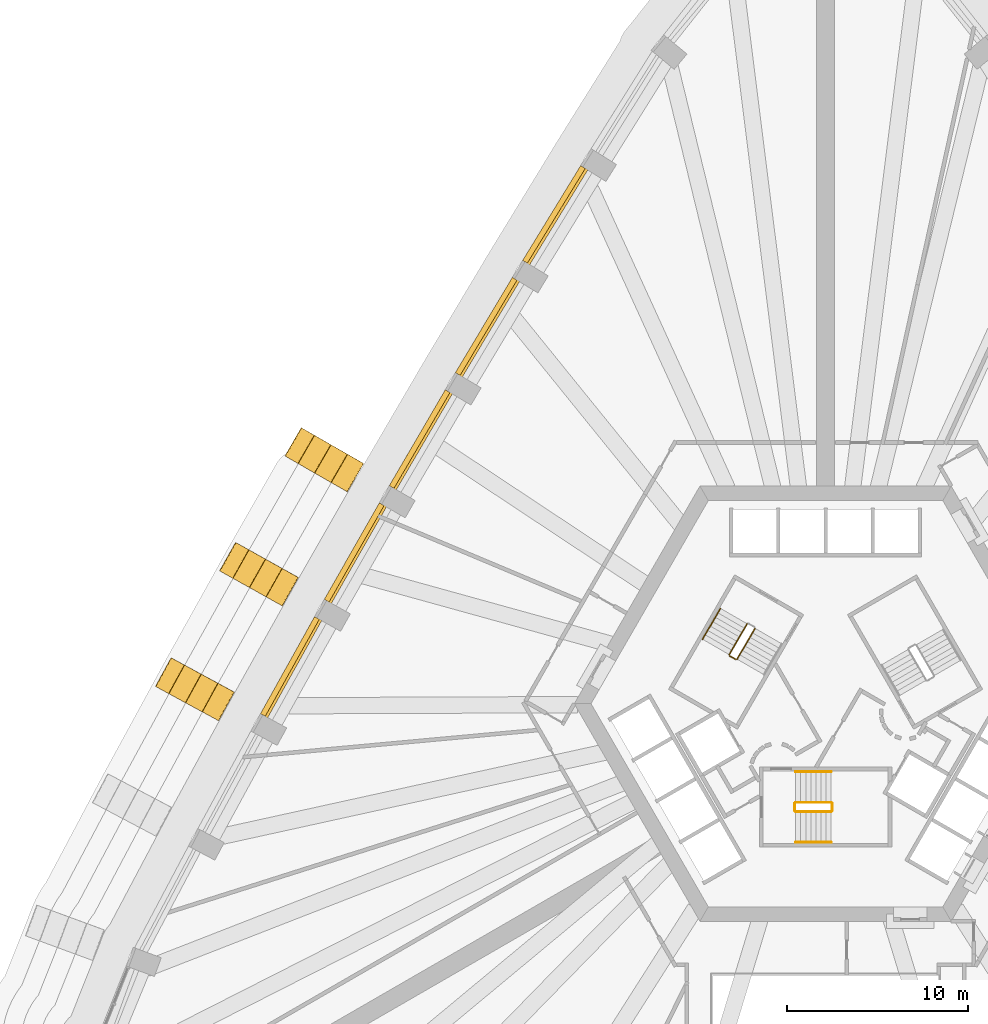
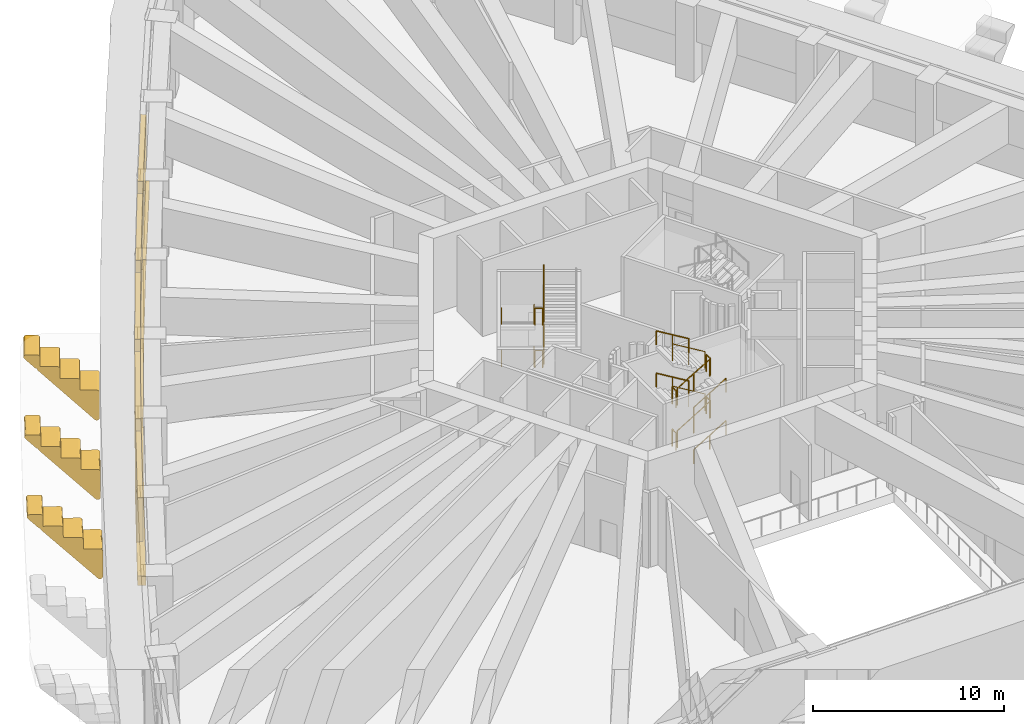
# One storey, part 18 of 22: 20 railings, 8 coverings, 5 shading devices.
"""IFC4 building model written with IfcOpenShell, lengths in metres."""

from ifc_helpers import new_model, si_unit, direction, frame, origin, origin_2d, place, context, subcontext, project, spatial, polyline, rectangle, circle, outline, extrude, material, layer, layer_set, type_object, element, save


model = new_model("IFC4")

# Units and contexts
model_context = context("Model", 3, precision=1e-05, world=origin(), true_north=direction((0.0, 1.0)))
body_context = subcontext(model_context, "Body", "Model", "MODEL_VIEW")
ifc_project = project(units=[si_unit("LENGTHUNIT", "METRE"), si_unit("AREAUNIT", "SQUARE_METRE"), si_unit("VOLUMEUNIT", "CUBIC_METRE"), si_unit("PLANEANGLEUNIT", "RADIAN"), si_unit("MASSUNIT", "GRAM", prefix="KILO")], contexts=[model_context])

# Site, building, storey
site_placement = place(None, origin())
site = spatial("IfcSite", under=ifc_project, at=site_placement, CompositionType="ELEMENT")
building_placement = place(site_placement, origin())
building = spatial("IfcBuilding", under=site, at=building_placement, Name="Entoto Arch Interchange Tower", CompositionType="ELEMENT")
storey_placement = place(building_placement, frame((0.0, 0.0, 132.800048828125)))
storey = spatial("IfcBuildingStorey", under=building, at=storey_placement, Name="L29", CompositionType="ELEMENT", Elevation=132.800048828125)

# Shading devices
ifc_material_1 = material(Name="Aluminium, anodised", Category="aluminium")
ifc_layer = layer(ifc_material_1, 0.300048828125)
ifc_layer_set = layer_set([ifc_layer], Name="Aluminium, anodised")
shading_device_type = type_object("IfcShadingDeviceType", Name="PLANT LOUVRE ALUMINIUM", PredefinedType="JALOUSIE", material=ifc_layer_set)
shading_device_placement = place(storey_placement, frame((-14.97705078125, 29.47998046875, 1.19970703125), z_axis=(0.0, 0.0, 1.0), x_axis=(-0.521977619024, -0.85295918146, 0.0)))
element("IfcShadingDevice", 1, at=shading_device_placement, inside=storey, type_object=shading_device_type, Name="Plant louvre NW-02 L29", PredefinedType="JALOUSIE", context=body_context, shape_type="SweptSolid", body=[
    extrude(rectangle(XDim=6.12109375, YDim=0.300048828125, at=origin_2d()), origin(), (0.0, 0.0, 1.0), 2.800048828125),
])
for number, where, z_axis, x_axis, name in (
    (2, (-18.712890625, 23.304931640625, 1.19970703125), (0.0, 0.0, 1.0), (-0.513151821694, -0.858297854997, 0.0), "Plant louvre NW-03 L29"),
    (3, (-22.385009765625, 17.091064453125, 1.19970703125), (0.0, 0.0, 1.0), (-0.504316641424, -0.863518804186, 0.0), "Plant louvre NW-04 L29"),
):
    element("IfcShadingDevice", number, at=place(storey_placement, frame(where, z_axis=z_axis, x_axis=x_axis)), inside=storey, type_object=shading_device_type, Name=name, PredefinedType="JALOUSIE", context=body_context, shape_type="SweptSolid", body=[
        extrude(rectangle(XDim=6.118896484375, YDim=0.300048828125, at=origin_2d()), origin(), (0.0, 0.0, 1.0), 2.800048828125),
    ])
for number, where, z_axis, x_axis, name in (
    (4, (-25.993896484375, 10.840087890625, 1.19970703125), (0.0, 0.0, 1.0), (-0.495564788094, -0.86857097626, 0.0), "Plant louvre NW-05 L29"),
    (5, (-29.5380859375, 4.552978515625, 1.19970703125), (0.0, 0.0, 1.0), (-0.486762327995, -0.873534450405, 0.0), "Plant louvre NW-06 L29"),
):
    element("IfcShadingDevice", number, at=place(storey_placement, frame(where, z_axis=z_axis, x_axis=x_axis)), inside=storey, type_object=shading_device_type, Name=name, PredefinedType="JALOUSIE", context=body_context, shape_type="SweptSolid", body=[
        extrude(rectangle(XDim=6.1201171875, YDim=0.300048828125, at=origin_2d()), origin(), (0.0, 0.0, 1.0), 2.800048828125),
    ])

# Coverings
ifc_material_2 = material(Name="Board-marked precast concrete C50/60", Category="concrete")
covering_type_1 = type_object("IfcCoveringType", Name="PRECAST FRAME COURSE", PredefinedType="CLADDING", material=ifc_material_2)
covering_1_placement = place(storey_placement, frame((-25.694091796875, 15.8740234375, -0.087158203125), z_axis=(0.500214209937, 0.865895996186, 0.003141331749), x_axis=(0.688236678341, -0.395376523832, -0.608282565087)))
element("IfcCovering", 6, at=covering_1_placement, inside=storey, type_object=covering_type_1, Name="Fold rib NW05 L29", PredefinedType="CLADDING", context=body_context, shape_type="SweptSolid", body=[
    extrude(outline(polyline([(0.0, 0.0), (0.0441460098532878, 3.469446951953614e-18), (0.08673061743248986, -0.012331929972447649), (0.1122116835064453, -0.028168703089815943), (0.14399265887246446, -0.058984118287878425), (0.16488681623100376, -0.09868410189381076), (0.1735805149737042, -0.14194758958338707), (0.16892152501719135, -0.18636238712174694), (0.15082052611063096, -0.2278593878722074), (-0.8513980245200852, -1.5360310164233464), (-0.8709686449902418, -1.5576367452600361), (-0.8943926007723959, -1.5750573239945889), (-0.935919127842761, -1.590907458010622), (-0.9650822753700613, -1.5950117225175906), (-0.9940638313517083, -1.5931024703156906), (-1.0233093152445525, -1.5857610351498201), (-1.049236750204112, -1.5723523786324438), (-1.7517412606716827, -1.0352020738303551), (-2.126787200316661, -1.5226015895833283), (-2.148997852467886, -1.5418755820955015), (-2.174112240875864, -1.556767954600116), (-2.2020043740594457, -1.5655386133241738), (-2.2311675215867464, -1.5696428778311422), (-2.2748162563047187, -1.5654106540088941), (-2.3023057635449056, -1.5541870296211795), (-2.327045146619529, -1.539228149784076), (-3.041117943008164, -0.9919811720049687), (-3.4161638826531417, -1.4793806877579418), (-3.4382065082715694, -1.4987829682166072), (-3.4639930028107395, -1.5131621889352531), (-3.4914775838675656, -1.522242898617332), (-3.520472704862068, -1.5264754510707923), (-3.564697018239594, -1.5218048883440314), (-3.5916824458813865, -1.510966127795793), (-3.6173120184409586, -1.4953231325933904), (-4.3320569209607855, -0.9475630030283146), (-4.706044644588017, -1.4357749220930789), (-4.728351824210881, -1.4549741017237965), (-4.75336968514722, -1.469941287109867), (-4.781358345802441, -1.478637132952469), (-4.810521493329741, -1.4827413974594374), (-4.854170228047714, -1.4785091736371894), (-4.893932362971439, -1.4606486804252956), (-5.344303085999998, -1.1167286020824139), (-5.365567410335135, -1.0964322449303752), (-5.3828803963646426, -1.0733199857708113), (-5.394505364147532, -1.0465698688013494), (-5.401637796125057, -1.018344111816015), (-5.4029334800348305, -0.989669018386746), (-5.398610499230612, -0.9603736249342112), (-5.389215594455683, -0.9334337680354667), (-5.37433186083395, -0.9082362377449744), (-5.355077773382208, -0.8866959988767587), (-5.331582318538894, -0.8693288952072424), (-5.30480803427887, -0.8572441191611855), (-5.277096866547702, -0.8492578950099734), (-4.469346564541562, -0.7199259200188324), (-4.439919489103064, -0.7212538384758345), (-4.410505978677422, -0.7287235615881973), (-4.383461990894086, -0.74052851972081), (-4.362551540814221, -0.7565526694082183), (-4.335356183327887, -0.7232601596860122), (-4.311860728484573, -0.705893056016496), (-4.286144660242296, -0.6929958766586477), (-4.258047382624573, -0.6853089040332581), (0.0, 0.0)])), origin(), (0.0, 0.0, -1.0), 1.800048828125),
])
covering_2_placement = place(storey_placement, frame((-29.29296875, 9.5869140625, -0.083984375), z_axis=(0.489866211248, 0.871792639643, 0.00294763337), x_axis=(0.659903281561, -0.368590428059, -0.654728001026)))
element("IfcCovering", 7, at=covering_2_placement, inside=storey, type_object=covering_type_1, Name="Fold rib NW06 L29", PredefinedType="CLADDING", context=body_context, shape_type="SweptSolid", body=[
    extrude(outline(polyline([(0.0, 0.0), (0.029083937818478817, 1.734723475976807e-18), (0.07260890863104447, -0.011217297581871864), (0.11075581116290927, -0.033600094890550734), (0.14047494208769434, -0.06741834396557768), (0.1585857095597739, -0.10830046376930103), (0.16474512464975205, -0.15174761665645792), (0.1570696046767547, -0.19548535256140848), (0.13763082630354206, -0.23549659099627482), (-0.9395380215016219, -1.4801001180806967), (-0.961212873778313, -1.4997606157342174), (-0.9857071028145039, -1.5156882668510212), (-1.0277435965912989, -1.5293411786740105), (-1.0569408024488807, -1.5318280123138437), (-1.0857554170135542, -1.5281857741258176), (-1.114397013703019, -1.5192044053441347), (-1.139316221989195, -1.5044024380395846), (-1.80873693885051, -0.925836551349004), (-2.211867248173009, -1.3902786490095724), (-2.2352821770301006, -1.4081089378113933), (-2.261790236827792, -1.4209991776732398), (-2.2892479891625768, -1.4288711691515117), (-2.3196106926080597, -1.4303474559097866), (-2.362560443989505, -1.4238283921859316), (-2.389237955012812, -1.4110563191740098), (-2.4136839436699833, -1.3940826298294255), (-3.093613714323378, -0.805122426674518), (-3.4971939631332543, -1.2691706348353373), (-3.5201589525029693, -1.287394813136907), (-3.546757000198136, -1.3002062750988042), (-3.5744847162253466, -1.3078419328772264), (-3.603843031282529, -1.3101896794607075), (-3.6474372194623736, -1.3031142675114453), (-3.6734702936872807, -1.2908985427249304), (-3.6983662218318294, -1.2735309638805976), (-4.379494878184548, -0.6835368421748251), (-4.781426301807723, -1.1490128583862584), (-4.80475124276734, -1.1669219250880292), (-4.830989338872604, -1.180048498649725), (-4.858717054899816, -1.1876841564281473), (-4.888719806755397, -1.1894755547862215), (-4.932029509726744, -1.1826413794625672), (-4.971455177885613, -1.1617348689121636), (-5.399510298325936, -0.792243329074001), (-5.419639189495744, -0.7706107948213745), (-5.435693235801692, -0.7463669110123585), (-5.445691371536099, -0.7189707682458635), (-5.451123199239895, -0.6903649716132318), (-5.450538736116682, -0.6618013046216293), (-5.4440091034685825, -0.6332194581146529), (-5.433112628237776, -0.606806882184832), (-5.41674420311109, -0.5825478487796714), (-5.396233584926076, -0.5622004271457293), (-5.371810477192009, -0.546212466872523), (-5.345457209112796, -0.5348012544600058), (-5.316309107911936, -0.529364877222851), (-4.503086873049915, -0.44922018430874866), (-4.4731533385616125, -0.4515706715832839), (-4.444672851071748, -0.4604129533086154), (-4.41895315077247, -0.4746158642903797), (-4.39775570783198, -0.49168348113105775), (-4.37937850592869, -0.46916736737630993), (-4.356893053669102, -0.4514967966090937), (-4.317680990636704, -0.43281654664484304), (-4.288532889435844, -0.42738016940768864), (0.0, 0.0)])), origin(), (0.0, 0.0, -1.0), 1.800048828125),
])
covering_3_placement = place(storey_placement, frame((-32.827880859375, 3.262939453125, -0.075927734375), z_axis=(0.479629330836, 0.877466162659, 0.002972942939), x_axis=(0.685061750593, -0.372338258213, -0.626142650955)))
element("IfcCovering", 8, at=covering_3_placement, inside=storey, type_object=covering_type_1, Name="Fold rib NW07 L29", PredefinedType="CLADDING", context=body_context, shape_type="SweptSolid", body=[
    extrude(outline(polyline([(0.0, 0.0), (0.043281580715877, 0.0), (0.0862470441501252, -0.013836911976909005), (0.12265932005654898, -0.03931929824266911), (0.1428137443490409, -0.06208314712031349), (0.16212672136181197, -0.1017011251956579), (0.16967082198398806, -0.14502162361119217), (0.16362883751603546, -0.1890160376145982), (0.14524268298912157, -0.23061421478148308), (-0.8796131657721817, -1.5070689988633463), (-0.8995059447031479, -1.5283553102028853), (-0.9240593760412357, -1.5446477619225587), (-0.9655589844558492, -1.5598544191933104), (-0.9948091568466613, -1.563292622242555), (-1.0234635233974065, -1.5609482162002806), (-1.0521624904726576, -1.5532446391780514), (-1.0782828083318103, -1.5388448735683478), (-1.7688484292519484, -0.9855338830152476), (-2.15386182737016, -1.4650985968985892), (-2.177172236470764, -1.4833283086467213), (-2.201979566168425, -1.498162469427039), (-2.2303299008489432, -1.5060818744021938), (-2.2595800732397553, -1.5095200774514383), (-2.3034081785323783, -1.504069765052034), (-2.3305410262152932, -1.4922993889934681), (-2.3556965635083245, -1.4761690843408277), (-3.056529459483186, -0.913364072624854), (-3.4427427262014505, -1.3919641936456966), (-3.4652168782822876, -1.4108632316252925), (-3.4909513678947874, -1.4249542495163876), (-3.5183745426604665, -1.433616797380765), (-3.5482937206670924, -1.4365195394448387), (-3.5921218259597154, -1.4310692270454344), (-3.6183893078504843, -1.4199957133567818), (-3.6433775937395616, -1.4039992739504341), (-4.345831508078003, -0.8386375131863133), (-4.730787368012974, -1.3194991166242684), (-4.753065159917478, -1.338559555988606), (-4.779163261110265, -1.3523553072486667), (-4.806982732806542, -1.3607038441011494), (-4.836142002302283, -1.3642158638081523), (-4.8799701075949065, -1.358765551408748), (-4.920146516771672, -1.3393389832566172), (-5.361347799163109, -0.9862836064933322), (-5.3818597925286005, -0.9657394771244858), (-5.3988455497100585, -0.9420815105858744), (-5.409849751732349, -0.9150806413013988), (-5.416342849632148, -0.8866955129715648), (-5.417655837793639, -0.8574615865815436), (-5.411919842000955, -0.8288789159790042), (-5.402288974978944, -0.8018553868941387), (-5.385799441671805, -0.7778366983518463), (-5.366059529598983, -0.7567407441546679), (-5.342538715456995, -0.7396175648187882), (-5.316535942939112, -0.7273090602557026), (-5.2876115916369235, -0.7207914543238356), (-4.4788393945481175, -0.6109616509108151), (-4.449362815842656, -0.6130302521570428), (-4.420663848767404, -0.6207338291792723), (-4.394797429267825, -0.6336753038496199), (-4.371275847997109, -0.6513111408794547), (-4.3525307626287235, -0.626600322814483), (-4.331289674019392, -0.6076493105498146), (-4.305187486727533, -0.5929134045738786), (-4.263667790940582, -0.5811668644704708), (0.0, 0.0)])), origin(), (0.0, 0.0, -1.0), 1.800048828125),
])
covering_type_2 = type_object("IfcCoveringType", Name="PRECAST LEDGE COURSE", PredefinedType="CLADDING", material=ifc_material_2)
covering_4_placement = place(storey_placement, frame((0.0, 0.0, -1.199951171875)))
element("IfcCovering", 9, at=covering_4_placement, inside=storey, type_object=covering_type_2, Name="Precast course NW-02 L29", PredefinedType="CLADDING", context=body_context, shape_type="SweptSolid", body=[
    extrude(outline(polyline([(-16.60009765625, 26.243896484375), (-16.989013671875, 26.47998046875), (-13.219970703125, 32.638916015625), (-12.8291015625, 32.39404296875), (-16.60009765625, 26.243896484375)])), origin(), (0.0, 0.0, 1.0), 0.599853515625),
])
covering_5_placement = place(storey_placement, frame((0.0, 0.0, -1.199951171875)))
element("IfcCovering", 10, at=covering_5_placement, inside=storey, type_object=covering_type_2, Name="Precast course NW-03 L29", PredefinedType="CLADDING", context=body_context, shape_type="SweptSolid", body=[
    extrude(outline(polyline([(-20.305908203125, 20.053955078125), (-20.694091796875, 20.283935546875), (-16.989013671875, 26.47998046875), (-16.60009765625, 26.243896484375), (-20.305908203125, 20.053955078125)])), origin(), (0.0, 0.0, 1.0), 0.599853515625),
])
covering_6_placement = place(storey_placement, frame((0.0, 0.0, -1.199951171875)))
element("IfcCovering", 11, at=covering_6_placement, inside=storey, type_object=covering_type_2, Name="Precast course NW-04 L29", PredefinedType="CLADDING", context=body_context, shape_type="SweptSolid", body=[
    extrude(outline(polyline([(-23.945068359375, 13.824951171875), (-24.3349609375, 14.050048828125), (-20.694091796875, 20.283935546875), (-20.305908203125, 20.053955078125), (-23.945068359375, 13.824951171875)])), origin(), (0.0, 0.0, 1.0), 0.599853515625),
])
covering_7_placement = place(storey_placement, frame((0.0, 0.0, -1.199951171875)))
element("IfcCovering", 12, at=covering_7_placement, inside=storey, type_object=covering_type_2, Name="Precast course NW-05 L29", PredefinedType="CLADDING", context=body_context, shape_type="SweptSolid", body=[
    extrude(outline(polyline([(-27.52001953125, 7.55810546875), (-27.9130859375, 7.779052734375), (-24.3349609375, 14.050048828125), (-23.945068359375, 13.824951171875), (-27.52001953125, 7.55810546875)])), origin(), (0.0, 0.0, 1.0), 0.599853515625),
])
covering_8_placement = place(storey_placement, frame((0.0, 0.0, -1.199951171875)))
element("IfcCovering", 13, at=covering_8_placement, inside=storey, type_object=covering_type_2, Name="Precast course NW-06 L29", PredefinedType="CLADDING", context=body_context, shape_type="SweptSolid", body=[
    extrude(outline(polyline([(-31.028076171875, 1.25390625), (-31.427001953125, 1.471923828125), (-27.9130859375, 7.779052734375), (-27.52001953125, 7.55810546875), (-31.028076171875, 1.25390625)])), origin(), (0.0, 0.0, 1.0), 0.599853515625),
])

# Railings
ifc_material_3 = material(Name="Stainless steel 1.4301", Category="steel")
railing_type_1 = type_object("IfcRailingType", Name="STAIR GUARD 1100 STEEL", PredefinedType="GUARDRAIL", material=ifc_material_3)
railing_1_placement = place(storey_placement, frame((-1.64990234375, -3.449951171875, 0.168701171875)))
element("IfcRailing", 14, at=railing_1_placement, inside=storey, type_object=railing_type_1, Name="L29 ST-S stair guard 1", PredefinedType="GUARDRAIL", context=body_context, shape_type="SweptSolid", body=[
    extrude(circle(Radius=0.02392578125, at=origin_2d()), frame((0.0, 0.0, 1.076171875), z_axis=(0.856493463811, 0.0, 0.516157869696), x_axis=(0.0, 1.0, 0.0)), (0.0, 0.0, 1.0), 2.288330078125),
    extrude(circle(Radius=0.02099609375, at=origin_2d()), origin(), (0.0, 0.0, 1.0), 1.052001953125),
    extrude(circle(Radius=0.02099609375, at=origin_2d()), frame((0.97998046875, 0.0, 0.590576171875)), (0.0, 0.0, 1.0), 1.052001953125),
    extrude(circle(Radius=0.02099609375, at=origin_2d()), frame((1.9599609375, 0.0, 1.18115234375)), (0.0, 0.0, 1.0), 1.052001953125),
])
railing_2_placement = place(storey_placement, frame((0.360107421875, -3.39990234375, 1.349853515625)))
element("IfcRailing", 15, at=railing_2_placement, inside=storey, type_object=railing_type_1, Name="L29 ST-S stair guard 2", PredefinedType="GUARDRAIL", context=body_context, shape_type="SweptSolid", body=[
    extrude(circle(Radius=0.02392578125, at=origin_2d()), frame((0.0, 0.0, 1.076171875), z_axis=(0.0, 1.0, 0.0), x_axis=(-1.0, 0.0, 0.0)), (0.0, 0.0, 1.0), 0.39990234375),
    extrude(circle(Radius=0.02099609375, at=origin_2d()), origin(), (0.0, 0.0, 1.0), 1.052001953125),
    extrude(circle(Radius=0.02099609375, at=origin_2d()), frame((0.0, 0.39990234375, 0.0)), (0.0, 0.0, 1.0), 1.052001953125),
])
railing_3_placement = place(storey_placement, frame((0.31005859375, -2.949951171875, 1.518798828125)))
element("IfcRailing", 16, at=railing_3_placement, inside=storey, type_object=railing_type_1, Name="L29 ST-S stair guard 3", PredefinedType="GUARDRAIL", context=body_context, shape_type="SweptSolid", body=[
    extrude(circle(Radius=0.02392578125, at=origin_2d()), frame((0.0, 0.0, 1.076171875), z_axis=(-0.856493463811, 0.0, 0.516157869696), x_axis=(0.0, -1.0, 0.0)), (0.0, 0.0, 1.0), 2.288330078125),
    extrude(circle(Radius=0.02099609375, at=origin_2d()), origin(), (0.0, 0.0, 1.0), 1.052001953125),
    extrude(circle(Radius=0.02099609375, at=origin_2d()), frame((-0.97998046875, 0.0, 0.590576171875)), (0.0, 0.0, 1.0), 1.052001953125),
    extrude(circle(Radius=0.02099609375, at=origin_2d()), frame((-1.9599609375, 0.0, 1.18115234375)), (0.0, 0.0, 1.0), 1.052001953125),
])
railing_4_placement = place(storey_placement, frame((-1.699951171875, -3.39990234375, 2.699951171875)))
element("IfcRailing", 17, at=railing_4_placement, inside=storey, type_object=railing_type_1, Name="L29 ST-S stair guard 4", PredefinedType="GUARDRAIL", context=body_context, shape_type="SweptSolid", body=[
    extrude(circle(Radius=0.02392578125, at=origin_2d()), frame((0.0, 0.0, 1.076171875), z_axis=(0.0, 1.0, 0.0), x_axis=(-1.0, 0.0, 0.0)), (0.0, 0.0, 1.0), 0.39990234375),
    extrude(circle(Radius=0.02099609375, at=origin_2d()), origin(), (0.0, 0.0, 1.0), 1.052001953125),
    extrude(circle(Radius=0.02099609375, at=origin_2d()), frame((0.0, 0.39990234375, 0.0)), (0.0, 0.0, 1.0), 1.052001953125),
])
railing_5_placement = place(storey_placement, frame((-1.64990234375, -3.449951171875, 2.86865234375)))
element("IfcRailing", 18, at=railing_5_placement, inside=storey, type_object=railing_type_1, Name="L29 ST-S stair guard 5", PredefinedType="GUARDRAIL", context=body_context, shape_type="SweptSolid", body=[
    extrude(circle(Radius=0.02392578125, at=origin_2d()), frame((0.0, 0.0, 1.076171875), z_axis=(0.856446297458, 0.0, 0.516236127728), x_axis=(0.0, 1.0, 0.0)), (0.0, 0.0, 1.0), 2.28857421875),
    extrude(circle(Radius=0.02099609375, at=origin_2d()), origin(), (0.0, 0.0, 1.0), 1.052001953125),
    extrude(circle(Radius=0.02099609375, at=origin_2d()), frame((0.97998046875, 0.0, 0.5908203125)), (0.0, 0.0, 1.0), 1.052001953125),
    extrude(circle(Radius=0.02099609375, at=origin_2d()), frame((1.9599609375, 0.0, 1.181396484375)), (0.0, 0.0, 1.0), 1.052001953125),
])
railing_6_placement = place(storey_placement, frame((0.360107421875, -3.39990234375, 4.050048828125)))
element("IfcRailing", 19, at=railing_6_placement, inside=storey, type_object=railing_type_1, Name="L29 ST-S stair guard 6", PredefinedType="GUARDRAIL", context=body_context, shape_type="SweptSolid", body=[
    extrude(circle(Radius=0.02392578125, at=origin_2d()), frame((0.0, 0.0, 1.076171875), z_axis=(0.0, 1.0, 0.0), x_axis=(-1.0, 0.0, 0.0)), (0.0, 0.0, 1.0), 0.39990234375),
    extrude(circle(Radius=0.02099609375, at=origin_2d()), origin(), (0.0, 0.0, 1.0), 1.052001953125),
    extrude(circle(Radius=0.02099609375, at=origin_2d()), frame((0.0, 0.39990234375, 0.0)), (0.0, 0.0, 1.0), 1.052001953125),
])
railing_7_placement = place(storey_placement, frame((0.31005859375, -2.949951171875, 4.21875)))
element("IfcRailing", 20, at=railing_7_placement, inside=storey, type_object=railing_type_1, Name="L29 ST-S stair guard 7", PredefinedType="GUARDRAIL", context=body_context, shape_type="SweptSolid", body=[
    extrude(circle(Radius=0.02392578125, at=origin_2d()), frame((0.0, 0.0, 1.076171875), z_axis=(-0.856493463811, 0.0, 0.516157869696), x_axis=(0.0, -1.0, 0.0)), (0.0, 0.0, 1.0), 2.288330078125),
    extrude(circle(Radius=0.02099609375, at=origin_2d()), origin(), (0.0, 0.0, 1.0), 1.052001953125),
    extrude(circle(Radius=0.02099609375, at=origin_2d()), frame((-0.97998046875, 0.0, 0.590576171875)), (0.0, 0.0, 1.0), 1.052001953125),
    extrude(circle(Radius=0.02099609375, at=origin_2d()), frame((-1.9599609375, 0.0, 1.18115234375)), (0.0, 0.0, 1.0), 1.052001953125),
])
railing_8_placement = place(storey_placement, frame((-1.699951171875, -3.39990234375, 0.0)))
element("IfcRailing", 21, at=railing_8_placement, inside=storey, type_object=railing_type_1, Name="L29 ST-S stair guard 8", PredefinedType="GUARDRAIL", context=body_context, shape_type="SweptSolid", body=[
    extrude(circle(Radius=0.02392578125, at=origin_2d()), frame((0.0, 0.0, 1.076171875), z_axis=(0.0, 1.0, 0.0), x_axis=(-1.0, 0.0, 0.0)), (0.0, 0.0, 1.0), 0.39990234375),
    extrude(circle(Radius=0.02099609375, at=origin_2d()), origin(), (0.0, 0.0, 1.0), 1.052001953125),
    extrude(circle(Radius=0.02099609375, at=origin_2d()), frame((0.0, 0.39990234375, 0.0)), (0.0, 0.0, 1.0), 1.052001953125),
])
railing_9_placement = place(storey_placement, frame((-4.327880859375, 6.904052734375, 0.168701171875)))
element("IfcRailing", 22, at=railing_9_placement, inside=storey, type_object=railing_type_1, Name="L29 ST-NW stair guard 1", PredefinedType="GUARDRAIL", context=body_context, shape_type="SweptSolid", body=[
    extrude(circle(Radius=0.02392578125, at=origin_2d()), frame((0.0, 0.0, 1.076171875), z_axis=(-0.428228158944, -0.741771397394, 0.516135484049), x_axis=(0.866042469362, -0.499970440388, 0.0)), (0.0, 0.0, 1.0), 2.28857421875),
    extrude(circle(Radius=0.02099609375, at=origin_2d()), origin(), (0.0, 0.0, 1.0), 1.052001953125),
    extrude(circle(Radius=0.02099609375, at=origin_2d()), frame((-0.489990234375, -0.8486328125, 0.590576171875)), (0.0, 0.0, 1.0), 1.052001953125),
    extrude(circle(Radius=0.02099609375, at=origin_2d()), frame((-0.97998046875, -1.697509765625, 1.18115234375)), (0.0, 0.0, 1.0), 1.052001953125),
])
railing_10_placement = place(storey_placement, frame((-5.28955078125, 5.13818359375, 1.349853515625)))
element("IfcRailing", 23, at=railing_10_placement, inside=storey, type_object=railing_type_1, Name="L29 ST-NW stair guard 2", PredefinedType="GUARDRAIL", context=body_context, shape_type="SweptSolid", body=[
    extrude(circle(Radius=0.02392578125, at=origin_2d()), frame((0.0, 0.0, 1.076171875), z_axis=(0.866094119867, -0.499880961361, 0.0), x_axis=(0.499880961361, 0.866094119867, 0.0)), (0.0, 0.0, 1.0), 0.39990234375),
    extrude(circle(Radius=0.02099609375, at=origin_2d()), origin(), (0.0, 0.0, 1.0), 1.052001953125),
    extrude(circle(Radius=0.02099609375, at=origin_2d()), frame((0.346435546875, -0.199951171875, 0.0)), (0.0, 0.0, 1.0), 1.052001953125),
])
railing_11_placement = place(storey_placement, frame((-4.874755859375, 4.95654296875, 1.518798828125)))
element("IfcRailing", 24, at=railing_11_placement, inside=storey, type_object=railing_type_1, Name="L29 ST-NW stair guard 3", PredefinedType="GUARDRAIL", context=body_context, shape_type="SweptSolid", body=[
    extrude(circle(Radius=0.02392578125, at=origin_2d()), frame((0.0, 0.0, 1.076171875), z_axis=(0.428228158944, 0.741771397394, 0.516135484049), x_axis=(-0.866042469362, 0.499970440388, 0.0)), (0.0, 0.0, 1.0), 2.28857421875),
    extrude(circle(Radius=0.02099609375, at=origin_2d()), origin(), (0.0, 0.0, 1.0), 1.052001953125),
    extrude(circle(Radius=0.02099609375, at=origin_2d()), frame((0.489990234375, 0.8486328125, 0.590576171875)), (0.0, 0.0, 1.0), 1.052001953125),
    extrude(circle(Radius=0.02099609375, at=origin_2d()), frame((0.97998046875, 1.697509765625, 1.18115234375)), (0.0, 0.0, 1.0), 1.052001953125),
])
railing_12_placement = place(storey_placement, frame((-4.327880859375, 6.904052734375, 2.86865234375)))
element("IfcRailing", 25, at=railing_12_placement, inside=storey, type_object=railing_type_1, Name="L29 ST-NW stair guard 5", PredefinedType="GUARDRAIL", context=body_context, shape_type="SweptSolid", body=[
    extrude(circle(Radius=0.02392578125, at=origin_2d()), frame((0.0, 0.0, 1.076171875), z_axis=(-0.428204578836, -0.741730552229, 0.516213741153), x_axis=(0.866042469362, -0.499970440388, 0.0)), (0.0, 0.0, 1.0), 2.28857421875),
    extrude(circle(Radius=0.02099609375, at=origin_2d()), origin(), (0.0, 0.0, 1.0), 1.052001953125),
    extrude(circle(Radius=0.02099609375, at=origin_2d()), frame((-0.489990234375, -0.8486328125, 0.5908203125)), (0.0, 0.0, 1.0), 1.052001953125),
    extrude(circle(Radius=0.02099609375, at=origin_2d()), frame((-0.97998046875, -1.697509765625, 1.181396484375)), (0.0, 0.0, 1.0), 1.052001953125),
])
railing_13_placement = place(storey_placement, frame((-5.28955078125, 5.13818359375, 4.050048828125)))
element("IfcRailing", 26, at=railing_13_placement, inside=storey, type_object=railing_type_1, Name="L29 ST-NW stair guard 6", PredefinedType="GUARDRAIL", context=body_context, shape_type="SweptSolid", body=[
    extrude(circle(Radius=0.02392578125, at=origin_2d()), frame((0.0, 0.0, 1.076171875), z_axis=(0.866094119867, -0.499880961361, 0.0), x_axis=(0.499880961361, 0.866094119867, 0.0)), (0.0, 0.0, 1.0), 0.39990234375),
    extrude(circle(Radius=0.02099609375, at=origin_2d()), origin(), (0.0, 0.0, 1.0), 1.052001953125),
    extrude(circle(Radius=0.02099609375, at=origin_2d()), frame((0.346435546875, -0.199951171875, 0.0)), (0.0, 0.0, 1.0), 1.052001953125),
])
railing_14_placement = place(storey_placement, frame((-4.874755859375, 4.95654296875, 4.21875)))
element("IfcRailing", 27, at=railing_14_placement, inside=storey, type_object=railing_type_1, Name="L29 ST-NW stair guard 7", PredefinedType="GUARDRAIL", context=body_context, shape_type="SweptSolid", body=[
    extrude(circle(Radius=0.02392578125, at=origin_2d()), frame((0.0, 0.0, 1.076171875), z_axis=(0.428228158944, 0.741771397394, 0.516135484049), x_axis=(-0.866042469362, 0.499970440388, 0.0)), (0.0, 0.0, 1.0), 2.28857421875),
    extrude(circle(Radius=0.02099609375, at=origin_2d()), origin(), (0.0, 0.0, 1.0), 1.052001953125),
    extrude(circle(Radius=0.02099609375, at=origin_2d()), frame((0.489990234375, 0.8486328125, 0.590576171875)), (0.0, 0.0, 1.0), 1.052001953125),
    extrude(circle(Radius=0.02099609375, at=origin_2d()), frame((0.97998046875, 1.697509765625, 1.18115234375)), (0.0, 0.0, 1.0), 1.052001953125),
])
railing_type_2 = type_object("IfcRailingType", Name="STAIR HANDRAIL 900 STEEL", PredefinedType="HANDRAIL", material=ifc_material_3)
railing_15_placement = place(storey_placement, frame((-1.64990234375, -5.14990234375, 0.168701171875)))
element("IfcRailing", 28, at=railing_15_placement, inside=storey, type_object=railing_type_2, Name="L29 ST-S stair handrail 1", PredefinedType="HANDRAIL", context=body_context, shape_type="SweptSolid", body=[
    extrude(circle(Radius=0.02392578125, at=origin_2d()), frame((0.0, 0.0, 0.8759765625), z_axis=(0.856493463811, 0.0, 0.516157869696), x_axis=(0.0, 1.0, 0.0)), (0.0, 0.0, 1.0), 2.288330078125),
    extrude(circle(Radius=0.02099609375, at=origin_2d()), origin(), (0.0, 0.0, 1.0), 0.851806640625),
    extrude(circle(Radius=0.02099609375, at=origin_2d()), frame((0.97998046875, 0.0, 0.590576171875)), (0.0, 0.0, 1.0), 0.851806640625),
    extrude(circle(Radius=0.02099609375, at=origin_2d()), frame((1.9599609375, 0.0, 1.18115234375)), (0.0, 0.0, 1.0), 0.851806640625),
])
railing_16_placement = place(storey_placement, frame((0.31005859375, -1.25, 1.518798828125)))
element("IfcRailing", 29, at=railing_16_placement, inside=storey, type_object=railing_type_2, Name="L29 ST-S stair handrail 2", PredefinedType="HANDRAIL", context=body_context, shape_type="SweptSolid", body=[
    extrude(circle(Radius=0.02392578125, at=origin_2d()), frame((0.0, 0.0, 0.8759765625), z_axis=(-0.856493463811, 0.0, 0.516157869696), x_axis=(0.0, -1.0, 0.0)), (0.0, 0.0, 1.0), 2.288330078125),
    extrude(circle(Radius=0.02099609375, at=origin_2d()), origin(), (0.0, 0.0, 1.0), 0.851806640625),
    extrude(circle(Radius=0.02099609375, at=origin_2d()), frame((-0.97998046875, 0.0, 0.590576171875)), (0.0, 0.0, 1.0), 0.851806640625),
    extrude(circle(Radius=0.02099609375, at=origin_2d()), frame((-1.9599609375, 0.0, 1.18115234375)), (0.0, 0.0, 1.0), 0.851806640625),
])
railing_17_placement = place(storey_placement, frame((-1.64990234375, -5.14990234375, 2.86865234375)))
element("IfcRailing", 30, at=railing_17_placement, inside=storey, type_object=railing_type_2, Name="L29 ST-S stair handrail 3", PredefinedType="HANDRAIL", context=body_context, shape_type="SweptSolid", body=[
    extrude(circle(Radius=0.02392578125, at=origin_2d()), frame((0.0, 0.0, 0.8759765625), z_axis=(0.856446297458, 0.0, 0.516236127728), x_axis=(0.0, 1.0, 0.0)), (0.0, 0.0, 1.0), 2.28857421875),
    extrude(circle(Radius=0.02099609375, at=origin_2d()), origin(), (0.0, 0.0, 1.0), 0.851806640625),
    extrude(circle(Radius=0.02099609375, at=origin_2d()), frame((0.97998046875, 0.0, 0.5908203125)), (0.0, 0.0, 1.0), 0.851806640625),
    extrude(circle(Radius=0.02099609375, at=origin_2d()), frame((1.9599609375, 0.0, 1.181396484375)), (0.0, 0.0, 1.0), 0.851806640625),
])
railing_18_placement = place(storey_placement, frame((0.31005859375, -1.25, 4.21875)))
element("IfcRailing", 31, at=railing_18_placement, inside=storey, type_object=railing_type_2, Name="L29 ST-S stair handrail 4", PredefinedType="HANDRAIL", context=body_context, shape_type="SweptSolid", body=[
    extrude(circle(Radius=0.02392578125, at=origin_2d()), frame((0.0, 0.0, 0.8759765625), z_axis=(-0.856493463811, 0.0, 0.516157869696), x_axis=(0.0, -1.0, 0.0)), (0.0, 0.0, 1.0), 2.288330078125),
    extrude(circle(Radius=0.02099609375, at=origin_2d()), origin(), (0.0, 0.0, 1.0), 0.851806640625),
    extrude(circle(Radius=0.02099609375, at=origin_2d()), frame((-0.97998046875, 0.0, 0.590576171875)), (0.0, 0.0, 1.0), 0.851806640625),
    extrude(circle(Radius=0.02099609375, at=origin_2d()), frame((-1.9599609375, 0.0, 1.18115234375)), (0.0, 0.0, 1.0), 0.851806640625),
])
railing_19_placement = place(storey_placement, frame((-5.800048828125, 7.75390625, 0.168701171875)))
element("IfcRailing", 32, at=railing_19_placement, inside=storey, type_object=railing_type_2, Name="L29 ST-NW stair handrail 1", PredefinedType="HANDRAIL", context=body_context, shape_type="SweptSolid", body=[
    extrude(circle(Radius=0.02392578125, at=origin_2d()), frame((0.0, 0.0, 0.8759765625), z_axis=(-0.428262048313, -0.74172340804, 0.516176330279), x_axis=(0.866011328839, -0.500024377727, 0.0)), (0.0, 0.0, 1.0), 2.288330078125),
    extrude(circle(Radius=0.02099609375, at=origin_2d()), origin(), (0.0, 0.0, 1.0), 0.851806640625),
    extrude(circle(Radius=0.02099609375, at=origin_2d()), frame((-0.489990234375, -0.8486328125, 0.590576171875)), (0.0, 0.0, 1.0), 0.851806640625),
    extrude(circle(Radius=0.02099609375, at=origin_2d()), frame((-0.97998046875, -1.697265625, 1.18115234375)), (0.0, 0.0, 1.0), 0.851806640625),
])
railing_20_placement = place(storey_placement, frame((-5.800048828125, 7.75390625, 2.86865234375)))
element("IfcRailing", 33, at=railing_20_placement, inside=storey, type_object=railing_type_2, Name="L29 ST-NW stair handrail 3", PredefinedType="HANDRAIL", context=body_context, shape_type="SweptSolid", body=[
    extrude(circle(Radius=0.02392578125, at=origin_2d()), frame((0.0, 0.0, 0.8759765625), z_axis=(-0.428238462606, -0.741682559053, 0.516254589076), x_axis=(0.866011328839, -0.500024377727, 0.0)), (0.0, 0.0, 1.0), 2.288330078125),
    extrude(circle(Radius=0.02099609375, at=origin_2d()), origin(), (0.0, 0.0, 1.0), 0.851806640625),
    extrude(circle(Radius=0.02099609375, at=origin_2d()), frame((-0.489990234375, -0.8486328125, 0.5908203125)), (0.0, 0.0, 1.0), 0.851806640625),
    extrude(circle(Radius=0.02099609375, at=origin_2d()), frame((-0.97998046875, -1.697265625, 1.181396484375)), (0.0, 0.0, 1.0), 0.851806640625),
])

save(model, "model.ifc")
